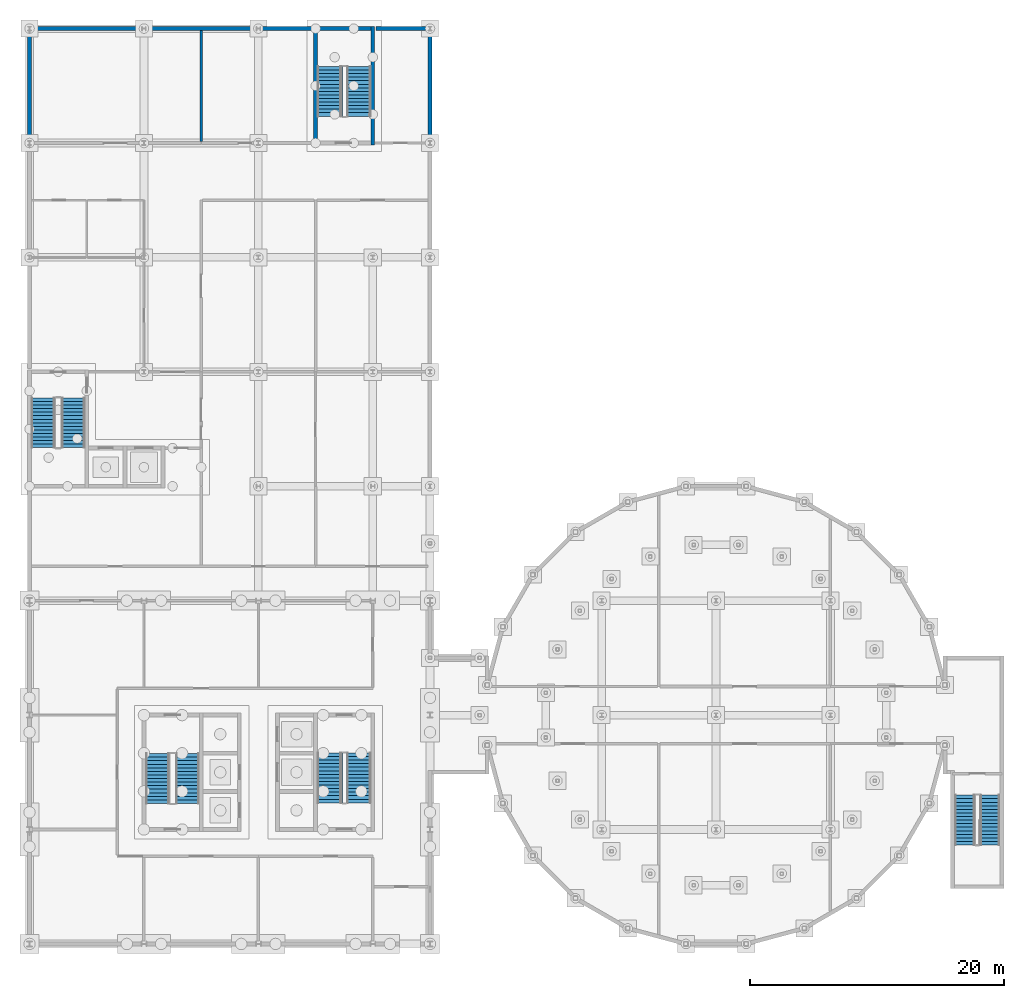
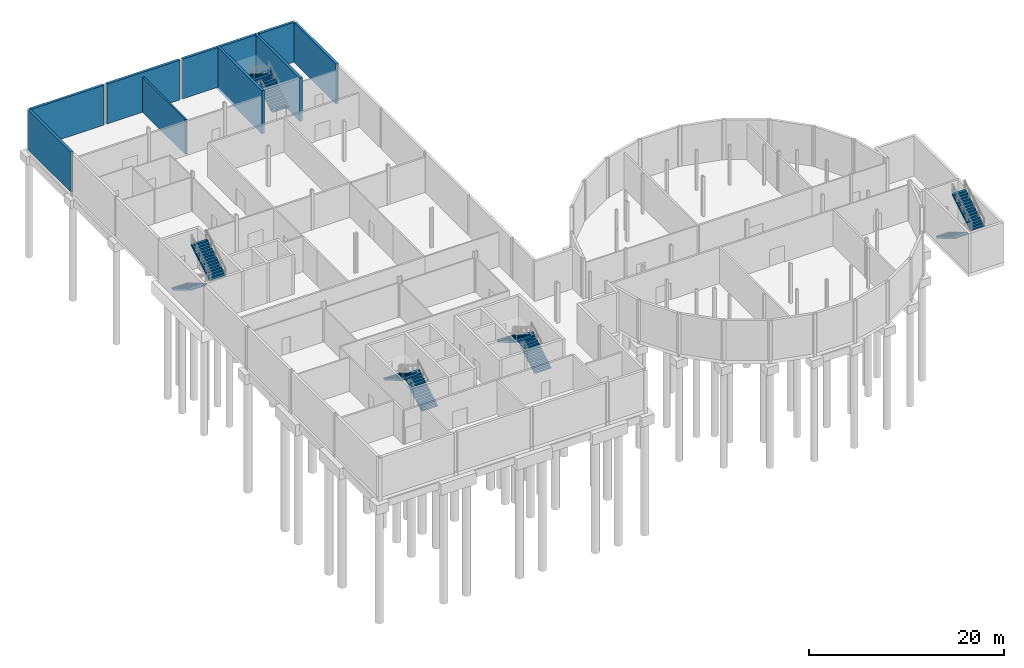
# One storey, part 18 of 25: 10 stair flights, 10 walls, 5 elements without a shape of their own.
"""IFC4 building model written with IfcOpenShell, lengths in metres."""

from ifc_helpers import new_model, si_unit, direction, frame, frame_2d, origin, place, context, subcontext, project, spatial, polyline, rectangle, outline, extrude, material, layer, layer_set, type_object, element, aggregate, save


model = new_model("IFC4")

# Units and contexts
model_context = context("Model", 3, precision=1e-05, world=origin(), true_north=direction((0.0, 1.0)))
body_context = subcontext(model_context, "Body", "Model", "MODEL_VIEW")
ifc_project = project(units=[si_unit("LENGTHUNIT", "METRE"), si_unit("AREAUNIT", "SQUARE_METRE"), si_unit("VOLUMEUNIT", "CUBIC_METRE"), si_unit("PLANEANGLEUNIT", "RADIAN"), si_unit("MASSUNIT", "GRAM", prefix="KILO")], contexts=[model_context])

# Site, building, storey
site_placement = place(None, origin())
site = spatial("IfcSite", under=ifc_project, at=site_placement, CompositionType="ELEMENT")
building_placement = place(site_placement, origin())
building = spatial("IfcBuilding", under=site, at=building_placement, Name="Hortulan Conservatory and Botanical Research Centre", CompositionType="ELEMENT")
storey_placement = place(building_placement, frame((0.0, 0.0, -5.0)))
storey = spatial("IfcBuildingStorey", under=building, at=storey_placement, Name="B1", CompositionType="ELEMENT", Elevation=-5.0)

# Walls
ifc_material_1 = material(Name="Concrete N40 (40 MPa, AS 3600)", Category="concrete")
ifc_layer_1 = layer(ifc_material_1, 0.300048828125)
ifc_layer_set_1 = layer_set([ifc_layer_1], Name="Basement Wall 300 N40 FRL 120/120/120")
wall_type_1 = type_object("IfcWallType", Name="Basement Wall 300 N40 FRL 120/120/120", PredefinedType="SOLIDWALL", material=ifc_layer_set_1)
wall_1_placement = place(storey_placement, frame((0.0, 63.160400390625, 0.0), z_axis=(0.0, 0.0, 1.0), x_axis=(0.0, 1.0, 0.0)))
element("IfcWall", 1, at=wall_1_placement, inside=storey, type_object=wall_type_1, Name="Basement retaining wall", PredefinedType="SOLIDWALL", context=body_context, shape_type="SweptSolid", body=[
    extrude(rectangle(XDim=8.67919921875, YDim=0.300048828125, at=frame_2d((4.339599609375, 0.0))), origin(), (0.0, 0.0, 1.0), 5.0),
])
wall_2_placement = place(storey_placement, frame((0.154541015625, 72.0, 0.0), z_axis=(0.0, 0.0, 1.0), x_axis=(1.0, 0.0, 0.0)))
element("IfcWall", 2, at=wall_2_placement, inside=storey, type_object=wall_type_1, Name="Basement retaining wall", PredefinedType="SOLIDWALL", context=body_context, shape_type="SweptSolid", body=[
    extrude(rectangle(XDim=8.68505859375, YDim=0.300048828125, at=frame_2d((4.342529296875, 0.0))), origin(), (0.0, 0.0, 1.0), 5.0),
])
wall_3_placement = place(storey_placement, frame((9.160400390625, 72.0, 0.0), z_axis=(0.0, 0.0, 1.0), x_axis=(1.0, 0.0, 0.0)))
element("IfcWall", 3, at=wall_3_placement, inside=storey, type_object=wall_type_1, Name="Basement retaining wall", PredefinedType="SOLIDWALL", context=body_context, shape_type="SweptSolid", body=[
    extrude(rectangle(XDim=8.67919921875, YDim=0.300048828125, at=frame_2d((4.339599609375, 0.0))), origin(), (0.0, 0.0, 1.0), 5.0),
])
wall_4_placement = place(storey_placement, frame((18.160400390625, 72.0, 0.0), z_axis=(0.0, 0.0, 1.0), x_axis=(1.0, 0.0, 0.0)))
element("IfcWall", 4, at=wall_4_placement, inside=storey, type_object=wall_type_1, Name="Basement retaining wall", PredefinedType="SOLIDWALL", context=body_context, shape_type="SweptSolid", body=[
    extrude(rectangle(XDim=4.188720703125, YDim=0.300048828125, at=frame_2d((2.09423828125, 0.0))), origin(), (0.0, 0.0, 1.0), 5.0),
])
wall_5_placement = place(storey_placement, frame((27.25, 72.0, 0.0), z_axis=(0.0, 0.0, 1.0), x_axis=(1.0, 0.0, 0.0)))
element("IfcWall", 5, at=wall_5_placement, inside=storey, type_object=wall_type_1, Name="Basement retaining wall", PredefinedType="SOLIDWALL", context=body_context, shape_type="SweptSolid", body=[
    extrude(rectangle(XDim=4.095458984375, YDim=0.300048828125, at=frame_2d((2.0478515625, 0.0))), origin(), (0.0, 0.0, 1.0), 5.0),
])
wall_6_placement = place(storey_placement, frame((31.5, 71.839599609375, 0.0), z_axis=(0.0, 0.0, 1.0), x_axis=(0.0, -1.0, 0.0)))
element("IfcWall", 6, at=wall_6_placement, inside=storey, type_object=wall_type_1, Name="Basement retaining wall", PredefinedType="SOLIDWALL", context=body_context, shape_type="SweptSolid", body=[
    extrude(rectangle(XDim=8.67919921875, YDim=0.300048828125, at=frame_2d((4.339599609375, 0.0))), origin(), (0.0, 0.0, 1.0), 5.0),
])
ifc_material_2 = material(Name="Fire-rated plasterboard on steel studs", Category="steel")
ifc_layer_2 = layer(ifc_material_2, 0.199951171875)
ifc_layer_set_2 = layer_set([ifc_layer_2], Name="Compartment Partition 200")
wall_type_2 = type_object("IfcWallType", Name="Compartment Partition 200", PredefinedType="PARTITIONING", material=ifc_layer_set_2)
wall_7_placement = place(storey_placement, frame((13.5, 63.110107421875, 0.0), z_axis=(0.0, 0.0, 1.0), x_axis=(0.0, 1.0, 0.0)))
element("IfcWall", 7, at=wall_7_placement, inside=storey, type_object=wall_type_2, Name="Partition Visitor Centre Mechanical Hall and Fire Pump and Sprinkler Tank Room B1", PredefinedType="PARTITIONING", context=body_context, shape_type="SweptSolid", body=[
    extrude(rectangle(XDim=8.72998046875, YDim=0.199951171875, at=frame_2d((4.364990234375, 0.0))), origin(), (0.0, 0.0, 1.0), 4.39404296875),
])
ifc_layer_3 = layer(ifc_material_1, 0.300048828125)
ifc_layer_set_3 = layer_set([ifc_layer_3], Name="Core Wall 300 N40 FRL 180/120/120")
wall_type_3 = type_object("IfcWallType", Name="Core Wall 300 N40 FRL 180/120/120", PredefinedType="SHEAR", material=ifc_layer_set_3)
for number, where, z_axis, x_axis, name in (
    (8, (22.5, 62.85009765625, -0.39990234375), (0.0, 0.0, 1.0), (0.0, 1.0, 0.0), "Reinforced concrete shaft wall"),
    (9, (27.0, 62.85009765625, -0.39990234375), (0.0, 0.0, 1.0), (0.0, 1.0, 0.0), "Reinforced concrete shaft wall"),
):
    element("IfcWall", number, at=place(storey_placement, frame(where, z_axis=z_axis, x_axis=x_axis)), inside=storey, type_object=wall_type_3, Name=name, PredefinedType="SHEAR", context=body_context, shape_type="SweptSolid", body=[
        extrude(rectangle(XDim=9.2998046875, YDim=0.300048828125, at=frame_2d((4.64990234375, 0.0))), origin(), (0.0, 0.0, 1.0), 5.39990234375),
    ])
wall_8_placement = place(storey_placement, frame((22.64990234375, 72.0, -0.39990234375), z_axis=(0.0, 0.0, 1.0), x_axis=(1.0, 0.0, 0.0)))
element("IfcWall", 10, at=wall_8_placement, inside=storey, type_object=wall_type_3, Name="Reinforced concrete shaft wall", PredefinedType="SHEAR", context=body_context, shape_type="SweptSolid", body=[
    extrude(rectangle(XDim=4.2001953125, YDim=0.300048828125, at=frame_2d((2.10009765625, 0.0))), origin(), (0.0, 0.0, 1.0), 5.39990234375),
])

# Stair, stair flights
stair_type_1 = type_object("IfcStairType", Name="Concrete Escape Stair 1600", PredefinedType="HALF_TURN_STAIR", material=ifc_material_1)
stair_1_placement = place(storey_placement, origin())
stair_1 = element("IfcStair", 11, at=stair_1_placement, inside=storey, type_object=stair_type_1, Name="Stair SHE B1", PredefinedType="HALF_TURN_STAIR")
ifc_layer_4 = layer(ifc_material_1, 0.14990234375)
ifc_layer_set_4 = layer_set([ifc_layer_4], Name="Stair Flight 1600 wide, riser 167")
stair_flight_type_1 = type_object("IfcStairFlightType", Name="Stair Flight 1600 wide, riser 167", PredefinedType="STRAIGHT", material=ifc_layer_set_4)
stair_flight_1_placement = place(storey_placement, frame((73.60009765625, 11.699951171875, 0.0), z_axis=(0.0, 0.0, 1.0), x_axis=(0.0, -1.0, 0.0)))
stair_flight_1 = element("IfcStairFlight", 12, at=stair_flight_1_placement, type_object=stair_flight_type_1, Name="Stair SHE B1 flight 1", NumberOfRisers=15, NumberOfTreads=14, PredefinedType="STRAIGHT", RiserHeight=0.166666667, TreadLength=0.28, context=body_context, shape_type="SweptSolid", body=[
    extrude(outline(polyline([(0.0, 0.0), (0.0, 0.166748046875), (0.280029296875, 0.166748046875), (0.280029296875, 0.333251953125), (0.56005859375, 0.333251953125), (0.56005859375, 0.5), (0.840087890625, 0.5), (0.840087890625, 0.666748046875), (1.1201171875, 0.666748046875), (1.1201171875, 0.833251953125), (1.39990234375, 0.833251953125), (1.39990234375, 1.0), (1.679931640625, 1.0), (1.679931640625, 1.166748046875), (1.9599609375, 1.166748046875), (1.9599609375, 1.333251953125), (2.239990234375, 1.333251953125), (2.239990234375, 1.5), (2.52001953125, 1.5), (2.52001953125, 1.666748046875), (2.800048828125, 1.666748046875), (2.800048828125, 1.833251953125), (3.080078125, 1.833251953125), (3.080078125, 2.0), (3.360107421875, 2.0), (3.360107421875, 2.166748046875), (3.639892578125, 2.166748046875), (3.639892578125, 2.333251953125), (3.919921875, 2.333251953125), (3.919921875, 2.5), (3.919921875, 2.158935546875), (0.29296875, 0.0), (0.0, 0.0)])), frame((0.0, 0.800048828125, 0.0), z_axis=(0.0, -1.0, 0.0), x_axis=(1.0, 0.0, 0.0)), (0.0, 0.0, 1.0), 1.60009765625),
])
stair_flight_2_placement = place(storey_placement, frame((75.5, 7.780029296875, 2.5), z_axis=(0.0, 0.0, 1.0), x_axis=(0.0, 1.0, 0.0)))
stair_flight_2 = element("IfcStairFlight", 13, at=stair_flight_2_placement, type_object=stair_flight_type_1, Name="Stair SHE B1 flight 2", NumberOfRisers=15, NumberOfTreads=14, PredefinedType="STRAIGHT", RiserHeight=0.166666667, TreadLength=0.28, context=body_context, shape_type="SweptSolid", body=[
    extrude(outline(polyline([(0.0, 0.0), (0.0, 0.166748046875), (0.280029296875, 0.166748046875), (0.280029296875, 0.333251953125), (0.56005859375, 0.333251953125), (0.56005859375, 0.5), (0.840087890625, 0.5), (0.840087890625, 0.666748046875), (1.1201171875, 0.666748046875), (1.1201171875, 0.833251953125), (1.39990234375, 0.833251953125), (1.39990234375, 1.0), (1.679931640625, 1.0), (1.679931640625, 1.166748046875), (1.9599609375, 1.166748046875), (1.9599609375, 1.333251953125), (2.239990234375, 1.333251953125), (2.239990234375, 1.5), (2.52001953125, 1.5), (2.52001953125, 1.666748046875), (2.800048828125, 1.666748046875), (2.800048828125, 1.833251953125), (3.080078125, 1.833251953125), (3.080078125, 2.0), (3.360107421875, 2.0), (3.360107421875, 2.166748046875), (3.639892578125, 2.166748046875), (3.639892578125, 2.333251953125), (3.919921875, 2.333251953125), (3.919921875, 2.5), (3.919921875, 2.158935546875), (0.29296875, 0.0), (0.0, 0.0)])), frame((0.0, 0.800048828125, 0.0), z_axis=(0.0, -1.0, 0.0), x_axis=(1.0, 0.0, 0.0)), (0.0, 0.0, 1.0), 1.60009765625),
])
aggregate(stair_1, [stair_flight_1, stair_flight_2])

stair_type_2 = type_object("IfcStairType", Name="Concrete Escape Stair 1900", PredefinedType="HALF_TURN_STAIR", material=ifc_material_1)
stair_2_placement = place(storey_placement, origin())
stair_2 = element("IfcStair", 14, at=stair_2_placement, inside=storey, type_object=stair_type_2, Name="Stair T1 B1", PredefinedType="HALF_TURN_STAIR")
ifc_layer_5 = layer(ifc_material_1, 0.14990234375)
ifc_layer_set_5 = layer_set([ifc_layer_5], Name="Stair Flight 1900 wide, riser 167")
stair_flight_type_2 = type_object("IfcStairFlightType", Name="Stair Flight 1900 wide, riser 167", PredefinedType="STRAIGHT", material=ifc_layer_set_5)
stair_flight_3_placement = place(storey_placement, frame((12.39990234375, 11.050048828125, 0.0), z_axis=(0.0, 0.0, 1.0), x_axis=(0.0, 1.0, 0.0)))
stair_flight_3 = element("IfcStairFlight", 15, at=stair_flight_3_placement, type_object=stair_flight_type_2, Name="Stair T1 B1 flight 1", NumberOfRisers=15, NumberOfTreads=14, PredefinedType="STRAIGHT", RiserHeight=0.166666667, TreadLength=0.28, context=body_context, shape_type="SweptSolid", body=[
    extrude(outline(polyline([(0.0, 0.0), (0.0, 0.166748046875), (0.280029296875, 0.166748046875), (0.280029296875, 0.333251953125), (0.56005859375, 0.333251953125), (0.56005859375, 0.5), (0.840087890625, 0.5), (0.840087890625, 0.666748046875), (1.1201171875, 0.666748046875), (1.1201171875, 0.833251953125), (1.39990234375, 0.833251953125), (1.39990234375, 1.0), (1.679931640625, 1.0), (1.679931640625, 1.166748046875), (1.9599609375, 1.166748046875), (1.9599609375, 1.333251953125), (2.239990234375, 1.333251953125), (2.239990234375, 1.5), (2.52001953125, 1.5), (2.52001953125, 1.666748046875), (2.800048828125, 1.666748046875), (2.800048828125, 1.833251953125), (3.080078125, 1.833251953125), (3.080078125, 2.0), (3.360107421875, 2.0), (3.360107421875, 2.166748046875), (3.639892578125, 2.166748046875), (3.639892578125, 2.333251953125), (3.919921875, 2.333251953125), (3.919921875, 2.5), (3.919921875, 2.158935546875), (0.29296875, 0.0), (0.0, 0.0)])), frame((0.0, 0.949951171875, 0.0), z_axis=(0.0, -1.0, 0.0), x_axis=(1.0, 0.0, 0.0)), (0.0, 0.0, 1.0), 1.89990234375),
])
stair_flight_4_placement = place(storey_placement, frame((10.10009765625, 14.969970703125, 2.5), z_axis=(0.0, 0.0, 1.0), x_axis=(0.0, -1.0, 0.0)))
stair_flight_4 = element("IfcStairFlight", 16, at=stair_flight_4_placement, type_object=stair_flight_type_2, Name="Stair T1 B1 flight 2", NumberOfRisers=15, NumberOfTreads=14, PredefinedType="STRAIGHT", RiserHeight=0.166666667, TreadLength=0.28, context=body_context, shape_type="SweptSolid", body=[
    extrude(outline(polyline([(0.0, 0.0), (0.0, 0.166748046875), (0.280029296875, 0.166748046875), (0.280029296875, 0.333251953125), (0.56005859375, 0.333251953125), (0.56005859375, 0.5), (0.840087890625, 0.5), (0.840087890625, 0.666748046875), (1.1201171875, 0.666748046875), (1.1201171875, 0.833251953125), (1.39990234375, 0.833251953125), (1.39990234375, 1.0), (1.679931640625, 1.0), (1.679931640625, 1.166748046875), (1.9599609375, 1.166748046875), (1.9599609375, 1.333251953125), (2.239990234375, 1.333251953125), (2.239990234375, 1.5), (2.52001953125, 1.5), (2.52001953125, 1.666748046875), (2.800048828125, 1.666748046875), (2.800048828125, 1.833251953125), (3.080078125, 1.833251953125), (3.080078125, 2.0), (3.360107421875, 2.0), (3.360107421875, 2.166748046875), (3.639892578125, 2.166748046875), (3.639892578125, 2.333251953125), (3.919921875, 2.333251953125), (3.919921875, 2.5), (3.919921875, 2.158935546875), (0.29296875, 0.0), (0.0, 0.0)])), frame((0.0, 0.949951171875, 0.0), z_axis=(0.0, -1.0, 0.0), x_axis=(1.0, 0.0, 0.0)), (0.0, 0.0, 1.0), 1.89990234375),
])
aggregate(stair_2, [stair_flight_3, stair_flight_4])

stair_3_placement = place(storey_placement, origin())
stair_3 = element("IfcStair", 17, at=stair_3_placement, inside=storey, type_object=stair_type_2, Name="Stair V1 B1", PredefinedType="HALF_TURN_STAIR")
stair_flight_5_placement = place(storey_placement, frame((1.10009765625, 42.949951171875, 0.0), z_axis=(0.0, 0.0, 1.0), x_axis=(0.0, -1.0, 0.0)))
stair_flight_5 = element("IfcStairFlight", 18, at=stair_flight_5_placement, type_object=stair_flight_type_2, Name="Stair V1 B1 flight 1", NumberOfRisers=15, NumberOfTreads=14, PredefinedType="STRAIGHT", RiserHeight=0.166666667, TreadLength=0.28, context=body_context, shape_type="SweptSolid", body=[
    extrude(outline(polyline([(0.0, 0.0), (0.0, 0.166748046875), (0.280029296875, 0.166748046875), (0.280029296875, 0.333251953125), (0.56005859375, 0.333251953125), (0.56005859375, 0.5), (0.840087890625, 0.5), (0.840087890625, 0.666748046875), (1.1201171875, 0.666748046875), (1.1201171875, 0.833251953125), (1.39990234375, 0.833251953125), (1.39990234375, 1.0), (1.679931640625, 1.0), (1.679931640625, 1.166748046875), (1.9599609375, 1.166748046875), (1.9599609375, 1.333251953125), (2.239990234375, 1.333251953125), (2.239990234375, 1.5), (2.52001953125, 1.5), (2.52001953125, 1.666748046875), (2.800048828125, 1.666748046875), (2.800048828125, 1.833251953125), (3.080078125, 1.833251953125), (3.080078125, 2.0), (3.360107421875, 2.0), (3.360107421875, 2.166748046875), (3.639892578125, 2.166748046875), (3.639892578125, 2.333251953125), (3.919921875, 2.333251953125), (3.919921875, 2.5), (3.919921875, 2.158935546875), (0.29296875, 0.0), (0.0, 0.0)])), frame((0.0, 0.949951171875, 0.0), z_axis=(0.0, -1.0, 0.0), x_axis=(1.0, 0.0, 0.0)), (0.0, 0.0, 1.0), 1.89990234375),
])
stair_flight_6_placement = place(storey_placement, frame((3.39990234375, 39.030029296875, 2.5), z_axis=(0.0, 0.0, 1.0), x_axis=(0.0, 1.0, 0.0)))
stair_flight_6 = element("IfcStairFlight", 19, at=stair_flight_6_placement, type_object=stair_flight_type_2, Name="Stair V1 B1 flight 2", NumberOfRisers=15, NumberOfTreads=14, PredefinedType="STRAIGHT", RiserHeight=0.166666667, TreadLength=0.28, context=body_context, shape_type="SweptSolid", body=[
    extrude(outline(polyline([(0.0, 0.0), (0.0, 0.166748046875), (0.280029296875, 0.166748046875), (0.280029296875, 0.333251953125), (0.56005859375, 0.333251953125), (0.56005859375, 0.5), (0.840087890625, 0.5), (0.840087890625, 0.666748046875), (1.1201171875, 0.666748046875), (1.1201171875, 0.833251953125), (1.39990234375, 0.833251953125), (1.39990234375, 1.0), (1.679931640625, 1.0), (1.679931640625, 1.166748046875), (1.9599609375, 1.166748046875), (1.9599609375, 1.333251953125), (2.239990234375, 1.333251953125), (2.239990234375, 1.5), (2.52001953125, 1.5), (2.52001953125, 1.666748046875), (2.800048828125, 1.666748046875), (2.800048828125, 1.833251953125), (3.080078125, 1.833251953125), (3.080078125, 2.0), (3.360107421875, 2.0), (3.360107421875, 2.166748046875), (3.639892578125, 2.166748046875), (3.639892578125, 2.333251953125), (3.919921875, 2.333251953125), (3.919921875, 2.5), (3.919921875, 2.158935546875), (0.29296875, 0.0), (0.0, 0.0)])), frame((0.0, 0.949951171875, 0.0), z_axis=(0.0, -1.0, 0.0), x_axis=(1.0, 0.0, 0.0)), (0.0, 0.0, 1.0), 1.89990234375),
])
aggregate(stair_3, [stair_flight_5, stair_flight_6])

stair_type_3 = type_object("IfcStairType", Name="Concrete Escape Stair 1950", PredefinedType="HALF_TURN_STAIR", material=ifc_material_1)
stair_4_placement = place(storey_placement, origin())
stair_4 = element("IfcStair", 20, at=stair_4_placement, inside=storey, type_object=stair_type_3, Name="Stair T2 B1", PredefinedType="HALF_TURN_STAIR")
ifc_layer_6 = layer(ifc_material_1, 0.14990234375)
ifc_layer_set_6 = layer_set([ifc_layer_6], Name="Stair Flight 1950 wide, riser 167")
stair_flight_type_3 = type_object("IfcStairFlightType", Name="Stair Flight 1950 wide, riser 167", PredefinedType="STRAIGHT", material=ifc_layer_set_6)
stair_flight_7_placement = place(storey_placement, frame((25.875, 11.10009765625, 0.0), z_axis=(0.0, 0.0, 1.0), x_axis=(0.0, 1.0, 0.0)))
stair_flight_7 = element("IfcStairFlight", 21, at=stair_flight_7_placement, type_object=stair_flight_type_3, Name="Stair T2 B1 flight 1", NumberOfRisers=15, NumberOfTreads=14, PredefinedType="STRAIGHT", RiserHeight=0.166666667, TreadLength=0.28, context=body_context, shape_type="SweptSolid", body=[
    extrude(outline(polyline([(0.0, 0.0), (0.0, 0.166748046875), (0.280029296875, 0.166748046875), (0.280029296875, 0.333251953125), (0.56005859375, 0.333251953125), (0.56005859375, 0.5), (0.840087890625, 0.5), (0.840087890625, 0.666748046875), (1.1201171875, 0.666748046875), (1.1201171875, 0.833251953125), (1.39990234375, 0.833251953125), (1.39990234375, 1.0), (1.679931640625, 1.0), (1.679931640625, 1.166748046875), (1.9599609375, 1.166748046875), (1.9599609375, 1.333251953125), (2.239990234375, 1.333251953125), (2.239990234375, 1.5), (2.52001953125, 1.5), (2.52001953125, 1.666748046875), (2.800048828125, 1.666748046875), (2.800048828125, 1.833251953125), (3.080078125, 1.833251953125), (3.080078125, 2.0), (3.360107421875, 2.0), (3.360107421875, 2.166748046875), (3.639892578125, 2.166748046875), (3.639892578125, 2.333251953125), (3.919921875, 2.333251953125), (3.919921875, 2.5), (3.919921875, 2.158935546875), (0.29296875, 0.0), (0.0, 0.0)])), frame((0.0, 0.97509765625, 0.0), z_axis=(0.0, -1.0, 0.0), x_axis=(1.0, 0.0, 0.0)), (0.0, 0.0, 1.0), 1.949951171875),
])
stair_flight_8_placement = place(storey_placement, frame((23.625, 15.02001953125, 2.5), z_axis=(0.0, 0.0, 1.0), x_axis=(0.0, -1.0, 0.0)))
stair_flight_8 = element("IfcStairFlight", 22, at=stair_flight_8_placement, type_object=stair_flight_type_3, Name="Stair T2 B1 flight 2", NumberOfRisers=15, NumberOfTreads=14, PredefinedType="STRAIGHT", RiserHeight=0.166666667, TreadLength=0.28, context=body_context, shape_type="SweptSolid", body=[
    extrude(outline(polyline([(0.0, 0.0), (0.0, 0.166748046875), (0.280029296875, 0.166748046875), (0.280029296875, 0.333251953125), (0.56005859375, 0.333251953125), (0.56005859375, 0.5), (0.840087890625, 0.5), (0.840087890625, 0.666748046875), (1.1201171875, 0.666748046875), (1.1201171875, 0.833251953125), (1.39990234375, 0.833251953125), (1.39990234375, 1.0), (1.679931640625, 1.0), (1.679931640625, 1.166748046875), (1.9599609375, 1.166748046875), (1.9599609375, 1.333251953125), (2.239990234375, 1.333251953125), (2.239990234375, 1.5), (2.52001953125, 1.5), (2.52001953125, 1.666748046875), (2.800048828125, 1.666748046875), (2.800048828125, 1.833251953125), (3.080078125, 1.833251953125), (3.080078125, 2.0), (3.360107421875, 2.0), (3.360107421875, 2.166748046875), (3.639892578125, 2.166748046875), (3.639892578125, 2.333251953125), (3.919921875, 2.333251953125), (3.919921875, 2.5), (3.919921875, 2.158935546875), (0.29296875, 0.0), (0.0, 0.0)])), frame((0.0, 0.97509765625, 0.0), z_axis=(0.0, -1.0, 0.0), x_axis=(1.0, 0.0, 0.0)), (0.0, 0.0, 1.0), 1.949951171875),
])
aggregate(stair_4, [stair_flight_7, stair_flight_8])

stair_5_placement = place(storey_placement, origin())
stair_5 = element("IfcStair", 23, at=stair_5_placement, inside=storey, type_object=stair_type_3, Name="Stair V2 B1", PredefinedType="HALF_TURN_STAIR")
stair_flight_9_placement = place(storey_placement, frame((25.875, 65.10009765625, 0.0), z_axis=(0.0, 0.0, 1.0), x_axis=(0.0, 1.0, 0.0)))
stair_flight_9 = element("IfcStairFlight", 24, at=stair_flight_9_placement, type_object=stair_flight_type_3, Name="Stair V2 B1 flight 1", NumberOfRisers=15, NumberOfTreads=14, PredefinedType="STRAIGHT", RiserHeight=0.166666667, TreadLength=0.28, context=body_context, shape_type="SweptSolid", body=[
    extrude(outline(polyline([(0.0, 0.0), (0.0, 0.166748046875), (0.280029296875, 0.166748046875), (0.280029296875, 0.333251953125), (0.56005859375, 0.333251953125), (0.56005859375, 0.5), (0.840087890625, 0.5), (0.840087890625, 0.666748046875), (1.1201171875, 0.666748046875), (1.1201171875, 0.833251953125), (1.39990234375, 0.833251953125), (1.39990234375, 1.0), (1.679931640625, 1.0), (1.679931640625, 1.166748046875), (1.9599609375, 1.166748046875), (1.9599609375, 1.333251953125), (2.239990234375, 1.333251953125), (2.239990234375, 1.5), (2.52001953125, 1.5), (2.52001953125, 1.666748046875), (2.800048828125, 1.666748046875), (2.800048828125, 1.833251953125), (3.080078125, 1.833251953125), (3.080078125, 2.0), (3.360107421875, 2.0), (3.360107421875, 2.166748046875), (3.639892578125, 2.166748046875), (3.639892578125, 2.333251953125), (3.919921875, 2.333251953125), (3.919921875, 2.5), (3.919921875, 2.158935546875), (0.29296875, 0.0), (0.0, 0.0)])), frame((0.0, 0.97509765625, 0.0), z_axis=(0.0, -1.0, 0.0), x_axis=(1.0, 0.0, 0.0)), (0.0, 0.0, 1.0), 1.949951171875),
])
stair_flight_10_placement = place(storey_placement, frame((23.625, 69.02001953125, 2.5), z_axis=(0.0, 0.0, 1.0), x_axis=(0.0, -1.0, 0.0)))
stair_flight_10 = element("IfcStairFlight", 25, at=stair_flight_10_placement, type_object=stair_flight_type_3, Name="Stair V2 B1 flight 2", NumberOfRisers=15, NumberOfTreads=14, PredefinedType="STRAIGHT", RiserHeight=0.166666667, TreadLength=0.28, context=body_context, shape_type="SweptSolid", body=[
    extrude(outline(polyline([(0.0, 0.0), (0.0, 0.166748046875), (0.280029296875, 0.166748046875), (0.280029296875, 0.333251953125), (0.56005859375, 0.333251953125), (0.56005859375, 0.5), (0.840087890625, 0.5), (0.840087890625, 0.666748046875), (1.1201171875, 0.666748046875), (1.1201171875, 0.833251953125), (1.39990234375, 0.833251953125), (1.39990234375, 1.0), (1.679931640625, 1.0), (1.679931640625, 1.166748046875), (1.9599609375, 1.166748046875), (1.9599609375, 1.333251953125), (2.239990234375, 1.333251953125), (2.239990234375, 1.5), (2.52001953125, 1.5), (2.52001953125, 1.666748046875), (2.800048828125, 1.666748046875), (2.800048828125, 1.833251953125), (3.080078125, 1.833251953125), (3.080078125, 2.0), (3.360107421875, 2.0), (3.360107421875, 2.166748046875), (3.639892578125, 2.166748046875), (3.639892578125, 2.333251953125), (3.919921875, 2.333251953125), (3.919921875, 2.5), (3.919921875, 2.158935546875), (0.29296875, 0.0), (0.0, 0.0)])), frame((0.0, 0.97509765625, 0.0), z_axis=(0.0, -1.0, 0.0), x_axis=(1.0, 0.0, 0.0)), (0.0, 0.0, 1.0), 1.949951171875),
])
aggregate(stair_5, [stair_flight_9, stair_flight_10])

save(model, "model.ifc")
